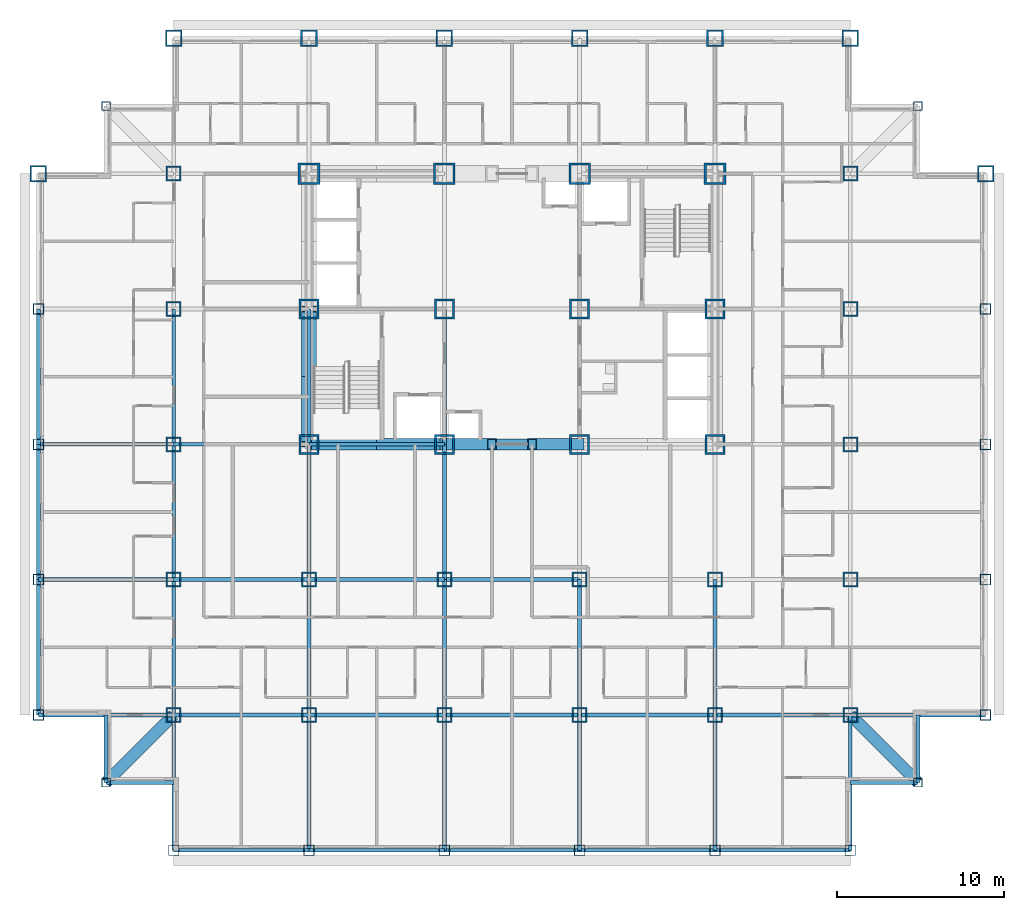
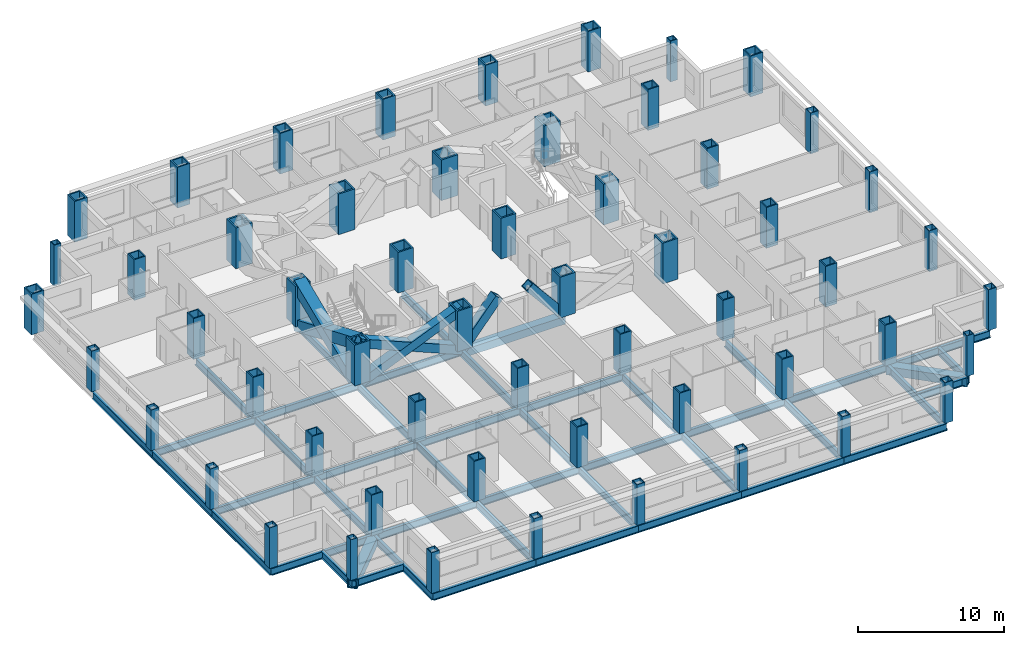
# One storey, part 1 of 13: 56 columns, 46 beams, 6 members.
"""IFC4 building model written with IfcOpenShell, lengths in metres."""

from ifc_helpers import new_model, si_unit, direction, frame, origin, origin_2d, place, context, subcontext, project, spatial, hollow_rectangle, i_section, extrude, material, material_profile, profile_set, type_object, element, save


model = new_model("IFC4")

# Units and contexts
model_context = context("Model", 3, precision=1e-05, world=origin(), true_north=direction((0.0, 1.0)))
body_context = subcontext(model_context, "Body", "Model", "MODEL_VIEW")
ifc_project = project(units=[si_unit("LENGTHUNIT", "METRE"), si_unit("AREAUNIT", "SQUARE_METRE"), si_unit("VOLUMEUNIT", "CUBIC_METRE"), si_unit("PLANEANGLEUNIT", "RADIAN"), si_unit("MASSUNIT", "GRAM", prefix="KILO")], contexts=[model_context])

# Site, building, storey
site_placement = place(None, origin())
site = spatial("IfcSite", under=ifc_project, at=site_placement, CompositionType="ELEMENT")
building_placement = place(site_placement, origin())
building = spatial("IfcBuilding", under=site, at=building_placement, Name="Kopane Lantern Tower", CompositionType="ELEMENT")
storey_placement = place(building_placement, frame((0.0, 0.0, 63.60009765625)))
storey = spatial("IfcBuildingStorey", under=building, at=storey_placement, Name="L15", CompositionType="ELEMENT", Elevation=63.60009765625)

# Columns
ifc_material_1 = material(Name="Steel S355JR", Category="steel")
ifc_material_profile_1 = material_profile(ifc_material_1, hollow_rectangle(XDim=1.0, YDim=1.0, WallThickness=0.10009765625, at=origin_2d()), Name="BOX 1000x1000x100")
ifc_profile_set_1 = profile_set([ifc_material_profile_1], Name="Steel S355JR")
column_type_1 = type_object("IfcColumnType", Name="COLUMN BOX 1000x1000x100", PredefinedType="COLUMN", material=ifc_profile_set_1)
for number, where, z_axis, x_axis, name in (
    (1, (0.0, 40.5, 0.0), (0.0, 0.0, 1.0), (1.0, 0.0, 0.0), "Column 2/G L15"),
    (2, (8.10009765625, 48.60009765625, 0.0), (0.0, 0.0, 1.0), (1.0, 0.0, 0.0), "Column 3/H L15"),
    (3, (16.199951171875, 48.60009765625, 0.0), (0.0, 0.0, 1.0), (1.0, 0.0, 0.0), "Column 4/H L15"),
    (4, (24.300048828125, 48.60009765625, 0.0), (0.0, 0.0, 1.0), (1.0, 0.0, 0.0), "Column 5/H L15"),
    (5, (32.39990234375, 48.60009765625, 0.0), (0.0, 0.0, 1.0), (1.0, 0.0, 0.0), "Column 6/H L15"),
    (6, (40.5, 48.60009765625, 0.0), (0.0, 0.0, 1.0), (1.0, 0.0, 0.0), "Column 7/H L15"),
    (7, (48.60009765625, 48.60009765625, 0.0), (0.0, 0.0, 1.0), (1.0, 0.0, 0.0), "Column 8/H L15"),
    (8, (56.699951171875, 40.5, 0.0), (0.0, 0.0, 1.0), (1.0, 0.0, 0.0), "Column 9/G L15"),
):
    element("IfcColumn", number, at=place(storey_placement, frame(where, z_axis=z_axis, x_axis=x_axis)), inside=storey, type_object=column_type_1, Name=name, PredefinedType="COLUMN", context=body_context, shape_type="SweptSolid", body=[
        extrude(hollow_rectangle(XDim=1.0, YDim=1.0, WallThickness=0.10009765625, at=origin_2d()), origin(), (0.0, 0.0, 1.0), 3.39990234375),
    ])
ifc_material_2 = material(Name="Steel S355JR", Category="steel")
ifc_material_profile_2 = material_profile(ifc_material_2, hollow_rectangle(XDim=1.199951171875, YDim=1.199951171875, WallThickness=0.1201171875, at=origin_2d()), Name="BOX 1200x1200x120")
ifc_profile_set_2 = profile_set([ifc_material_profile_2], Name="Steel S355JR")
column_type_2 = type_object("IfcColumnType", Name="COLUMN BOX 1200x1200x120", PredefinedType="COLUMN", material=ifc_profile_set_2)
for number, where, z_axis, x_axis, name in (
    (9, (16.199951171875, 24.300048828125, 0.0), (0.0, 0.0, 1.0), (1.0, 0.0, 0.0), "Column 4/E L15"),
    (10, (16.199951171875, 32.39990234375, 0.0), (0.0, 0.0, 1.0), (1.0, 0.0, 0.0), "Column 4/F L15"),
    (11, (24.300048828125, 24.300048828125, 0.0), (0.0, 0.0, 1.0), (1.0, 0.0, 0.0), "Column 5/E L15"),
    (12, (24.300048828125, 32.39990234375, 0.0), (0.0, 0.0, 1.0), (1.0, 0.0, 0.0), "Column 5/F L15"),
    (13, (32.39990234375, 24.300048828125, 0.0), (0.0, 0.0, 1.0), (1.0, 0.0, 0.0), "Column 6/E L15"),
    (14, (32.39990234375, 32.39990234375, 0.0), (0.0, 0.0, 1.0), (1.0, 0.0, 0.0), "Column 6/F L15"),
    (15, (40.5, 24.300048828125, 0.0), (0.0, 0.0, 1.0), (1.0, 0.0, 0.0), "Column 7/E L15"),
    (16, (40.5, 32.39990234375, 0.0), (0.0, 0.0, 1.0), (1.0, 0.0, 0.0), "Column 7/F L15"),
):
    element("IfcColumn", number, at=place(storey_placement, frame(where, z_axis=z_axis, x_axis=x_axis)), inside=storey, type_object=column_type_2, Name=name, PredefinedType="COLUMN", context=body_context, shape_type="SweptSolid", body=[
        extrude(hollow_rectangle(XDim=1.199951171875, YDim=1.199951171875, WallThickness=0.1201171875, at=origin_2d()), origin(), (0.0, 0.0, 1.0), 3.39990234375),
    ])
ifc_material_3 = material(Name="Steel S355JR", Category="steel")
ifc_material_profile_3 = material_profile(ifc_material_3, hollow_rectangle(XDim=1.300048828125, YDim=1.300048828125, WallThickness=0.1298828125, at=origin_2d()), Name="BOX 1300x1300x130")
ifc_profile_set_3 = profile_set([ifc_material_profile_3], Name="Steel S355JR")
column_type_3 = type_object("IfcColumnType", Name="COLUMN BOX 1300x1300x130", PredefinedType="COLUMN", material=ifc_profile_set_3)
for number, where, z_axis, x_axis, name in (
    (17, (16.199951171875, 40.5, 0.0), (0.0, 0.0, 1.0), (1.0, 0.0, 0.0), "Column 4/G L15"),
    (18, (24.300048828125, 40.5, 0.0), (0.0, 0.0, 1.0), (1.0, 0.0, 0.0), "Column 5/G L15"),
    (19, (32.39990234375, 40.5, 0.0), (0.0, 0.0, 1.0), (1.0, 0.0, 0.0), "Column 6/G L15"),
    (20, (40.5, 40.5, 0.0), (0.0, 0.0, 1.0), (1.0, 0.0, 0.0), "Column 7/G L15"),
):
    element("IfcColumn", number, at=place(storey_placement, frame(where, z_axis=z_axis, x_axis=x_axis)), inside=storey, type_object=column_type_3, Name=name, PredefinedType="COLUMN", context=body_context, shape_type="SweptSolid", body=[
        extrude(hollow_rectangle(XDim=1.300048828125, YDim=1.300048828125, WallThickness=0.1298828125, at=origin_2d()), origin(), (0.0, 0.0, 1.0), 3.39990234375),
    ])
ifc_material_4 = material(Name="Steel S355JR", Category="steel")
ifc_material_profile_4 = material_profile(ifc_material_4, hollow_rectangle(XDim=0.550048828125, YDim=0.550048828125, WallThickness=0.050048828125, at=origin_2d()), Name="BOX 550x550x50")
ifc_profile_set_4 = profile_set([ifc_material_profile_4], Name="Steel S355JR")
column_type_4 = type_object("IfcColumnType", Name="COLUMN BOX 550x550x50", PredefinedType="COLUMN", material=ifc_profile_set_4)
for number, where, z_axis, x_axis, name in (
    (21, (4.050048828125, 4.050048828125, 0.0), (0.0, 0.0, 1.0), (1.0, 0.0, 0.0), "Column 4.05/4.05 L15"),
    (22, (4.050048828125, 44.550048828125, 0.0), (0.0, 0.0, 1.0), (1.0, 0.0, 0.0), "Column 4.05/44.55 L15"),
    (23, (52.64990234375, 4.050048828125, 0.0), (0.0, 0.0, 1.0), (1.0, 0.0, 0.0), "Column 52.65/4.05 L15"),
    (24, (52.64990234375, 44.550048828125, 0.0), (0.0, 0.0, 1.0), (1.0, 0.0, 0.0), "Column 52.65/44.55 L15"),
):
    element("IfcColumn", number, at=place(storey_placement, frame(where, z_axis=z_axis, x_axis=x_axis)), inside=storey, type_object=column_type_4, Name=name, PredefinedType="COLUMN", context=body_context, shape_type="SweptSolid", body=[
        extrude(hollow_rectangle(XDim=0.550048828125, YDim=0.550048828125, WallThickness=0.050048828125, at=origin_2d()), origin(), (0.0, 0.0, 1.0), 3.39990234375),
    ])
ifc_material_5 = material(Name="Steel S355JR", Category="steel")
ifc_material_profile_5 = material_profile(ifc_material_5, hollow_rectangle(XDim=0.64990234375, YDim=0.64990234375, WallThickness=0.050048828125, at=origin_2d()), Name="BOX 650x650x50")
ifc_profile_set_5 = profile_set([ifc_material_profile_5], Name="Steel S355JR")
column_type_5 = type_object("IfcColumnType", Name="COLUMN BOX 650x650x50", PredefinedType="COLUMN", material=ifc_profile_set_5)
for number, where, z_axis, x_axis, name in (
    (25, (0.0, 8.10009765625, 0.0), (0.0, 0.0, 1.0), (1.0, 0.0, 0.0), "Column 2/C L15"),
    (26, (0.0, 16.199951171875, 0.0), (0.0, 0.0, 1.0), (1.0, 0.0, 0.0), "Column 2/D L15"),
    (27, (0.0, 24.300048828125, 0.0), (0.0, 0.0, 1.0), (1.0, 0.0, 0.0), "Column 2/E L15"),
    (28, (0.0, 32.39990234375, 0.0), (0.0, 0.0, 1.0), (1.0, 0.0, 0.0), "Column 2/F L15"),
    (29, (8.10009765625, 0.0, 0.0), (0.0, 0.0, 1.0), (1.0, 0.0, 0.0), "Column 3/B L15"),
    (30, (16.199951171875, 0.0, 0.0), (0.0, 0.0, 1.0), (1.0, 0.0, 0.0), "Column 4/B L15"),
    (31, (24.300048828125, 0.0, 0.0), (0.0, 0.0, 1.0), (1.0, 0.0, 0.0), "Column 5/B L15"),
    (32, (32.39990234375, 0.0, 0.0), (0.0, 0.0, 1.0), (1.0, 0.0, 0.0), "Column 6/B L15"),
    (33, (40.5, 0.0, 0.0), (0.0, 0.0, 1.0), (1.0, 0.0, 0.0), "Column 7/B L15"),
    (34, (48.60009765625, 0.0, 0.0), (0.0, 0.0, 1.0), (1.0, 0.0, 0.0), "Column 8/B L15"),
    (35, (56.699951171875, 8.10009765625, 0.0), (0.0, 0.0, 1.0), (1.0, 0.0, 0.0), "Column 9/C L15"),
    (36, (56.699951171875, 16.199951171875, 0.0), (0.0, 0.0, 1.0), (1.0, 0.0, 0.0), "Column 9/D L15"),
    (37, (56.699951171875, 24.300048828125, 0.0), (0.0, 0.0, 1.0), (1.0, 0.0, 0.0), "Column 9/E L15"),
    (38, (56.699951171875, 32.39990234375, 0.0), (0.0, 0.0, 1.0), (1.0, 0.0, 0.0), "Column 9/F L15"),
):
    element("IfcColumn", number, at=place(storey_placement, frame(where, z_axis=z_axis, x_axis=x_axis)), inside=storey, type_object=column_type_5, Name=name, PredefinedType="COLUMN", context=body_context, shape_type="SweptSolid", body=[
        extrude(hollow_rectangle(XDim=0.64990234375, YDim=0.64990234375, WallThickness=0.050048828125, at=origin_2d()), origin(), (0.0, 0.0, 1.0), 3.39990234375),
    ])
ifc_material_6 = material(Name="Steel S355JR", Category="steel")
ifc_material_profile_6 = material_profile(ifc_material_6, hollow_rectangle(XDim=0.89990234375, YDim=0.89990234375, WallThickness=0.090087890625, at=origin_2d()), Name="BOX 900x900x90")
ifc_profile_set_6 = profile_set([ifc_material_profile_6], Name="Steel S355JR")
column_type_6 = type_object("IfcColumnType", Name="COLUMN BOX 900x900x90", PredefinedType="COLUMN", material=ifc_profile_set_6)
for number, where, z_axis, x_axis, name in (
    (39, (8.10009765625, 8.10009765625, 0.0), (0.0, 0.0, 1.0), (1.0, 0.0, 0.0), "Column 3/C L15"),
    (40, (8.10009765625, 16.199951171875, 0.0), (0.0, 0.0, 1.0), (1.0, 0.0, 0.0), "Column 3/D L15"),
    (41, (8.10009765625, 24.300048828125, 0.0), (0.0, 0.0, 1.0), (1.0, 0.0, 0.0), "Column 3/E L15"),
    (42, (8.10009765625, 32.39990234375, 0.0), (0.0, 0.0, 1.0), (1.0, 0.0, 0.0), "Column 3/F L15"),
    (43, (8.10009765625, 40.5, 0.0), (0.0, 0.0, 1.0), (1.0, 0.0, 0.0), "Column 3/G L15"),
    (44, (16.199951171875, 8.10009765625, 0.0), (0.0, 0.0, 1.0), (1.0, 0.0, 0.0), "Column 4/C L15"),
    (45, (16.199951171875, 16.199951171875, 0.0), (0.0, 0.0, 1.0), (1.0, 0.0, 0.0), "Column 4/D L15"),
    (46, (24.300048828125, 8.10009765625, 0.0), (0.0, 0.0, 1.0), (1.0, 0.0, 0.0), "Column 5/C L15"),
    (47, (24.300048828125, 16.199951171875, 0.0), (0.0, 0.0, 1.0), (1.0, 0.0, 0.0), "Column 5/D L15"),
    (48, (32.39990234375, 8.10009765625, 0.0), (0.0, 0.0, 1.0), (1.0, 0.0, 0.0), "Column 6/C L15"),
    (49, (32.39990234375, 16.199951171875, 0.0), (0.0, 0.0, 1.0), (1.0, 0.0, 0.0), "Column 6/D L15"),
    (50, (40.5, 8.10009765625, 0.0), (0.0, 0.0, 1.0), (1.0, 0.0, 0.0), "Column 7/C L15"),
    (51, (40.5, 16.199951171875, 0.0), (0.0, 0.0, 1.0), (1.0, 0.0, 0.0), "Column 7/D L15"),
    (52, (48.60009765625, 8.10009765625, 0.0), (0.0, 0.0, 1.0), (1.0, 0.0, 0.0), "Column 8/C L15"),
    (53, (48.60009765625, 16.199951171875, 0.0), (0.0, 0.0, 1.0), (1.0, 0.0, 0.0), "Column 8/D L15"),
    (54, (48.60009765625, 24.300048828125, 0.0), (0.0, 0.0, 1.0), (1.0, 0.0, 0.0), "Column 8/E L15"),
    (55, (48.60009765625, 32.39990234375, 0.0), (0.0, 0.0, 1.0), (1.0, 0.0, 0.0), "Column 8/F L15"),
    (56, (48.60009765625, 40.5, 0.0), (0.0, 0.0, 1.0), (1.0, 0.0, 0.0), "Column 8/G L15"),
):
    element("IfcColumn", number, at=place(storey_placement, frame(where, z_axis=z_axis, x_axis=x_axis)), inside=storey, type_object=column_type_6, Name=name, PredefinedType="COLUMN", context=body_context, shape_type="SweptSolid", body=[
        extrude(hollow_rectangle(XDim=0.89990234375, YDim=0.89990234375, WallThickness=0.090087890625, at=origin_2d()), origin(), (0.0, 0.0, 1.0), 3.39990234375),
    ])

# Members
ifc_material_7 = material(Name="Steel S355JR", Category="steel")
ifc_material_profile_7 = material_profile(ifc_material_7, hollow_rectangle(XDim=0.699951171875, YDim=0.699951171875, WallThickness=0.06005859375, at=origin_2d()), Name="BOX 700x700x60")
ifc_profile_set_7 = profile_set([ifc_material_profile_7], Name="Steel S355JR")
member_type_1 = type_object("IfcMemberType", Name="BRACE BOX 700x700x60", PredefinedType="BRACE", material=ifc_profile_set_7)
for number, where, z_axis, x_axis, name in (
    (57, (16.199951171875, 24.300048828125, -0.210205078125), (0.92205908274, 0.0, 0.387049154419), (0.0, 1.0, 0.0), "Core brace L15"),
    (58, (24.300048828125, 24.300048828125, -0.210205078125), (-0.92205908274, 0.0, 0.387049154419), (0.0, -1.0, 0.0), "Core brace L15"),
):
    element("IfcMember", number, at=place(storey_placement, frame(where, z_axis=z_axis, x_axis=x_axis)), inside=storey, type_object=member_type_1, Name=name, PredefinedType="BRACE", context=body_context, shape_type="SweptSolid", body=[
        extrude(hollow_rectangle(XDim=0.699951171875, YDim=0.699951171875, WallThickness=0.06005859375, at=origin_2d()), origin(), (0.0, 0.0, 1.0), 8.784912109375),
    ])
for number, where, z_axis, x_axis, name in (
    (59, (24.300048828125, 24.300048828125, -0.210205078125), (0.642363165114, 0.0, 0.766400394118), (0.0, 1.0, 0.0), "Core brace L15"),
    (60, (32.39990234375, 24.300048828125, -0.210205078125), (-0.642363165114, 0.0, 0.766400394118), (0.0, -1.0, 0.0), "Core brace L15"),
):
    element("IfcMember", number, at=place(storey_placement, frame(where, z_axis=z_axis, x_axis=x_axis)), inside=storey, type_object=member_type_1, Name=name, PredefinedType="BRACE", context=body_context, shape_type="SweptSolid", body=[
        extrude(hollow_rectangle(XDim=0.699951171875, YDim=0.699951171875, WallThickness=0.06005859375, at=origin_2d()), origin(), (0.0, 0.0, 1.0), 4.4365234375),
    ])
ifc_material_8 = material(Name="Steel S355JR", Category="steel")
ifc_material_profile_8 = material_profile(ifc_material_8, hollow_rectangle(XDim=0.89990234375, YDim=0.89990234375, WallThickness=0.090087890625, at=origin_2d()), Name="BOX 900x900x90")
ifc_profile_set_8 = profile_set([ifc_material_profile_8], Name="Steel S355JR")
member_type_2 = type_object("IfcMemberType", Name="BRACE BOX 900x900x90", PredefinedType="BRACE", material=ifc_profile_set_8)
for number, where, z_axis, x_axis, name in (
    (61, (16.199951171875, 24.300048828125, -0.210205078125), (0.0, 0.92205491925, 0.387059072864), (-1.0, 0.0, 0.0), "Core brace L15"),
    (62, (16.199951171875, 32.39990234375, -0.210205078125), (0.0, -0.92205491925, 0.387059072864), (1.0, 0.0, 0.0), "Core brace L15"),
):
    element("IfcMember", number, at=place(storey_placement, frame(where, z_axis=z_axis, x_axis=x_axis)), inside=storey, type_object=member_type_2, Name=name, PredefinedType="BRACE", context=body_context, shape_type="SweptSolid", body=[
        extrude(hollow_rectangle(XDim=0.89990234375, YDim=0.89990234375, WallThickness=0.090087890625, at=origin_2d()), origin(), (0.0, 0.0, 1.0), 8.78466796875),
    ])

# Beams
ifc_material_9 = material(Name="Steel S355JR", Category="steel")
ifc_material_profile_9 = material_profile(ifc_material_9, i_section(OverallWidth=0.22900390625, OverallDepth=0.6123046875, WebThickness=0.011962890625, FlangeThickness=0.01953125, FilletRadius=0.0126953125, at=origin_2d()), Name="UB 610x229x125")
ifc_profile_set_9 = profile_set([ifc_material_profile_9], Name="Steel S355JR")
beam_type_1 = type_object("IfcBeamType", Name="CORE BEAM UB 610x229x125", PredefinedType="BEAM", material=ifc_profile_set_9)
beam_1_placement = place(storey_placement, frame((24.300048828125, 24.300048828125, -0.51611328125), z_axis=(0.0, 1.0, 0.0), x_axis=(-1.0, 0.0, 0.0)))
element("IfcBeam", 63, at=beam_1_placement, inside=storey, type_object=beam_type_1, Name="Core Beam L15", PredefinedType="BEAM", context=body_context, shape_type="SweptSolid", body=[
    extrude(i_section(OverallWidth=0.22900390625, OverallDepth=0.6123046875, WebThickness=0.011962890625, FlangeThickness=0.01953125, FilletRadius=0.0126953125, at=origin_2d()), origin(), (0.0, 0.0, 1.0), 8.099853515625),
])
ifc_material_10 = material(Name="Steel S355JR", Category="steel")
ifc_material_profile_10 = material_profile(ifc_material_10, hollow_rectangle(XDim=0.699951171875, YDim=0.699951171875, WallThickness=0.06005859375, at=origin_2d()), Name="BOX 700x700x60")
ifc_profile_set_10 = profile_set([ifc_material_profile_10], Name="Steel S355JR")
beam_type_2 = type_object("IfcBeamType", Name="CORNER TIE BEAM BOX 700x700x60", PredefinedType="BEAM", material=ifc_profile_set_10)
for number, where, z_axis, x_axis, name in (
    (64, (4.050048828125, 4.050048828125, -0.56005859375), (0.707106781187, 0.707106781187, 0.0), (-0.707106781187, 0.707106781187, 0.0), "Corner Tie Beam L15"),
    (65, (52.64990234375, 4.050048828125, -0.56005859375), (-0.707085467703, 0.707128094028, 0.0), (-0.707128094028, -0.707085467703, 0.0), "Corner Tie Beam L15"),
):
    element("IfcBeam", number, at=place(storey_placement, frame(where, z_axis=z_axis, x_axis=x_axis)), inside=storey, type_object=beam_type_2, Name=name, PredefinedType="BEAM", context=body_context, shape_type="SweptSolid", body=[
        extrude(hollow_rectangle(XDim=0.699951171875, YDim=0.699951171875, WallThickness=0.06005859375, at=origin_2d()), origin(), (0.0, 0.0, 1.0), 5.7275390625),
    ])
ifc_material_11 = material(Name="Steel S355JR", Category="steel")
ifc_material_profile_11 = material_profile(ifc_material_11, i_section(OverallWidth=0.22900390625, OverallDepth=0.6123046875, WebThickness=0.011962890625, FlangeThickness=0.01953125, FilletRadius=0.0126953125, at=origin_2d()), Name="UB 610x229x125")
ifc_profile_set_11 = profile_set([ifc_material_profile_11], Name="Steel S355JR")
beam_type_3 = type_object("IfcBeamType", Name="EDGE BEAM UB 610x229x125", PredefinedType="BEAM", material=ifc_profile_set_11)
for number, where, z_axis, x_axis, name in (
    (66, (4.050048828125, 4.050048828125, -0.51611328125), (0.0, 1.0, 0.0), (-1.0, 0.0, 0.0), "Edge Beam L15"),
    (67, (4.050048828125, 4.050048828125, -0.51611328125), (1.0, 0.0, 0.0), (0.0, 1.0, 0.0), "Edge Beam L15"),
):
    element("IfcBeam", number, at=place(storey_placement, frame(where, z_axis=z_axis, x_axis=x_axis)), inside=storey, type_object=beam_type_3, Name=name, PredefinedType="BEAM", context=body_context, shape_type="SweptSolid", body=[
        extrude(i_section(OverallWidth=0.22900390625, OverallDepth=0.6123046875, WebThickness=0.011962890625, FlangeThickness=0.01953125, FilletRadius=0.0126953125, at=origin_2d()), origin(), (0.0, 0.0, 1.0), 4.050048828125),
    ])
beam_2_placement = place(storey_placement, frame((52.64990234375, 4.050048828125, -0.51611328125), z_axis=(-1.0, 0.0, 0.0), x_axis=(0.0, -1.0, 0.0)))
element("IfcBeam", 68, at=beam_2_placement, inside=storey, type_object=beam_type_3, Name="Edge Beam L15", PredefinedType="BEAM", context=body_context, shape_type="SweptSolid", body=[
    extrude(i_section(OverallWidth=0.22900390625, OverallDepth=0.6123046875, WebThickness=0.011962890625, FlangeThickness=0.01953125, FilletRadius=0.0126953125, at=origin_2d()), origin(), (0.0, 0.0, 1.0), 4.0498046875),
])
beam_3_placement = place(storey_placement, frame((52.64990234375, 4.050048828125, -0.51611328125), z_axis=(0.0, 1.0, 0.0), x_axis=(-1.0, 0.0, 0.0)))
element("IfcBeam", 69, at=beam_3_placement, inside=storey, type_object=beam_type_3, Name="Edge Beam L15", PredefinedType="BEAM", context=body_context, shape_type="SweptSolid", body=[
    extrude(i_section(OverallWidth=0.22900390625, OverallDepth=0.6123046875, WebThickness=0.011962890625, FlangeThickness=0.01953125, FilletRadius=0.0126953125, at=origin_2d()), origin(), (0.0, 0.0, 1.0), 4.050048828125),
])
ifc_material_12 = material(Name="Steel S355JR", Category="steel")
ifc_material_profile_12 = material_profile(ifc_material_12, i_section(OverallWidth=0.22900390625, OverallDepth=0.6123046875, WebThickness=0.011962890625, FlangeThickness=0.01953125, FilletRadius=0.0126953125, at=origin_2d()), Name="UB 610x229x125")
ifc_profile_set_12 = profile_set([ifc_material_profile_12], Name="Steel S355JR")
beam_type_4 = type_object("IfcBeamType", Name="GIRDER UB 610x229x125", PredefinedType="BEAM", material=ifc_profile_set_12)
beam_4_placement = place(storey_placement, frame((0.0, 8.10009765625, -0.51611328125), z_axis=(0.0, 1.0, 0.0), x_axis=(-1.0, 0.0, 0.0)))
element("IfcBeam", 70, at=beam_4_placement, inside=storey, type_object=beam_type_4, Name="Girder L15", PredefinedType="BEAM", context=body_context, shape_type="SweptSolid", body=[
    extrude(i_section(OverallWidth=0.22900390625, OverallDepth=0.6123046875, WebThickness=0.011962890625, FlangeThickness=0.01953125, FilletRadius=0.0126953125, at=origin_2d()), origin(), (0.0, 0.0, 1.0), 8.099853515625),
])
for number, where, z_axis, x_axis, name in (
    (71, (0.0, 8.10009765625, -0.51611328125), (1.0, 0.0, 0.0), (0.0, 1.0, 0.0), "Girder L15"),
    (72, (0.0, 16.199951171875, -0.51611328125), (0.0, 1.0, 0.0), (-1.0, 0.0, 0.0), "Girder L15"),
    (73, (0.0, 16.199951171875, -0.51611328125), (1.0, 0.0, 0.0), (0.0, 1.0, 0.0), "Girder L15"),
):
    element("IfcBeam", number, at=place(storey_placement, frame(where, z_axis=z_axis, x_axis=x_axis)), inside=storey, type_object=beam_type_4, Name=name, PredefinedType="BEAM", context=body_context, shape_type="SweptSolid", body=[
        extrude(i_section(OverallWidth=0.22900390625, OverallDepth=0.6123046875, WebThickness=0.011962890625, FlangeThickness=0.01953125, FilletRadius=0.0126953125, at=origin_2d()), origin(), (0.0, 0.0, 1.0), 8.10009765625),
    ])
beam_5_placement = place(storey_placement, frame((0.0, 24.300048828125, -0.51611328125), z_axis=(0.0, 1.0, 0.0), x_axis=(-1.0, 0.0, 0.0)))
element("IfcBeam", 74, at=beam_5_placement, inside=storey, type_object=beam_type_4, Name="Girder L15", PredefinedType="BEAM", context=body_context, shape_type="SweptSolid", body=[
    extrude(i_section(OverallWidth=0.22900390625, OverallDepth=0.6123046875, WebThickness=0.011962890625, FlangeThickness=0.01953125, FilletRadius=0.0126953125, at=origin_2d()), origin(), (0.0, 0.0, 1.0), 8.099853515625),
])
for number, where, z_axis, x_axis, name in (
    (75, (0.0, 24.300048828125, -0.51611328125), (1.0, 0.0, 0.0), (0.0, 1.0, 0.0), "Girder L15"),
    (76, (8.10009765625, 0.0, -0.51611328125), (0.0, 1.0, 0.0), (-1.0, 0.0, 0.0), "Girder L15"),
):
    element("IfcBeam", number, at=place(storey_placement, frame(where, z_axis=z_axis, x_axis=x_axis)), inside=storey, type_object=beam_type_4, Name=name, PredefinedType="BEAM", context=body_context, shape_type="SweptSolid", body=[
        extrude(i_section(OverallWidth=0.22900390625, OverallDepth=0.6123046875, WebThickness=0.011962890625, FlangeThickness=0.01953125, FilletRadius=0.0126953125, at=origin_2d()), origin(), (0.0, 0.0, 1.0), 8.10009765625),
    ])
for number, where, z_axis, x_axis, name in (
    (77, (8.10009765625, 0.0, -0.51611328125), (1.0, 0.0, 0.0), (0.0, 1.0, 0.0), "Girder L15"),
    (78, (8.10009765625, 8.10009765625, -0.51611328125), (0.0, 1.0, 0.0), (-1.0, 0.0, 0.0), "Girder L15"),
    (79, (8.10009765625, 8.10009765625, -0.51611328125), (1.0, 0.0, 0.0), (0.0, 1.0, 0.0), "Girder L15"),
):
    element("IfcBeam", number, at=place(storey_placement, frame(where, z_axis=z_axis, x_axis=x_axis)), inside=storey, type_object=beam_type_4, Name=name, PredefinedType="BEAM", context=body_context, shape_type="SweptSolid", body=[
        extrude(i_section(OverallWidth=0.22900390625, OverallDepth=0.6123046875, WebThickness=0.011962890625, FlangeThickness=0.01953125, FilletRadius=0.0126953125, at=origin_2d()), origin(), (0.0, 0.0, 1.0), 8.099853515625),
    ])
beam_6_placement = place(storey_placement, frame((8.10009765625, 16.199951171875, -0.51611328125), z_axis=(0.0, 1.0, 0.0), x_axis=(-1.0, 0.0, 0.0)))
element("IfcBeam", 80, at=beam_6_placement, inside=storey, type_object=beam_type_4, Name="Girder L15", PredefinedType="BEAM", context=body_context, shape_type="SweptSolid", body=[
    extrude(i_section(OverallWidth=0.22900390625, OverallDepth=0.6123046875, WebThickness=0.011962890625, FlangeThickness=0.01953125, FilletRadius=0.0126953125, at=origin_2d()), origin(), (0.0, 0.0, 1.0), 8.10009765625),
])
for number, where, z_axis, x_axis, name in (
    (81, (8.10009765625, 16.199951171875, -0.51611328125), (1.0, 0.0, 0.0), (0.0, 1.0, 0.0), "Girder L15"),
    (82, (8.10009765625, 24.300048828125, -0.51611328125), (0.0, 1.0, 0.0), (-1.0, 0.0, 0.0), "Girder L15"),
    (83, (8.10009765625, 24.300048828125, -0.51611328125), (1.0, 0.0, 0.0), (0.0, 1.0, 0.0), "Girder L15"),
):
    element("IfcBeam", number, at=place(storey_placement, frame(where, z_axis=z_axis, x_axis=x_axis)), inside=storey, type_object=beam_type_4, Name=name, PredefinedType="BEAM", context=body_context, shape_type="SweptSolid", body=[
        extrude(i_section(OverallWidth=0.22900390625, OverallDepth=0.6123046875, WebThickness=0.011962890625, FlangeThickness=0.01953125, FilletRadius=0.0126953125, at=origin_2d()), origin(), (0.0, 0.0, 1.0), 8.099853515625),
    ])
for number, where, z_axis, x_axis, name in (
    (84, (16.199951171875, 0.0, -0.51611328125), (0.0, 1.0, 0.0), (-1.0, 0.0, 0.0), "Girder L15"),
    (85, (16.199951171875, 0.0, -0.51611328125), (1.0, 0.0, 0.0), (0.0, 1.0, 0.0), "Girder L15"),
):
    element("IfcBeam", number, at=place(storey_placement, frame(where, z_axis=z_axis, x_axis=x_axis)), inside=storey, type_object=beam_type_4, Name=name, PredefinedType="BEAM", context=body_context, shape_type="SweptSolid", body=[
        extrude(i_section(OverallWidth=0.22900390625, OverallDepth=0.6123046875, WebThickness=0.011962890625, FlangeThickness=0.01953125, FilletRadius=0.0126953125, at=origin_2d()), origin(), (0.0, 0.0, 1.0), 8.10009765625),
    ])
beam_7_placement = place(storey_placement, frame((16.199951171875, 8.10009765625, -0.51611328125), z_axis=(0.0, 1.0, 0.0), x_axis=(-1.0, 0.0, 0.0)))
element("IfcBeam", 86, at=beam_7_placement, inside=storey, type_object=beam_type_4, Name="Girder L15", PredefinedType="BEAM", context=body_context, shape_type="SweptSolid", body=[
    extrude(i_section(OverallWidth=0.22900390625, OverallDepth=0.6123046875, WebThickness=0.011962890625, FlangeThickness=0.01953125, FilletRadius=0.0126953125, at=origin_2d()), origin(), (0.0, 0.0, 1.0), 8.099853515625),
])
for number, where, z_axis, x_axis, name in (
    (87, (16.199951171875, 8.10009765625, -0.51611328125), (1.0, 0.0, 0.0), (0.0, 1.0, 0.0), "Girder L15"),
    (88, (16.199951171875, 16.199951171875, -0.51611328125), (0.0, 1.0, 0.0), (-1.0, 0.0, 0.0), "Girder L15"),
    (89, (16.199951171875, 16.199951171875, -0.51611328125), (1.0, 0.0, 0.0), (0.0, 1.0, 0.0), "Girder L15"),
):
    element("IfcBeam", number, at=place(storey_placement, frame(where, z_axis=z_axis, x_axis=x_axis)), inside=storey, type_object=beam_type_4, Name=name, PredefinedType="BEAM", context=body_context, shape_type="SweptSolid", body=[
        extrude(i_section(OverallWidth=0.22900390625, OverallDepth=0.6123046875, WebThickness=0.011962890625, FlangeThickness=0.01953125, FilletRadius=0.0126953125, at=origin_2d()), origin(), (0.0, 0.0, 1.0), 8.10009765625),
    ])
beam_8_placement = place(storey_placement, frame((16.199951171875, 24.300048828125, -0.51611328125), z_axis=(0.0, 1.0, 0.0), x_axis=(-1.0, 0.0, 0.0)))
element("IfcBeam", 90, at=beam_8_placement, inside=storey, type_object=beam_type_4, Name="Girder L15", PredefinedType="BEAM", context=body_context, shape_type="SweptSolid", body=[
    extrude(i_section(OverallWidth=0.22900390625, OverallDepth=0.6123046875, WebThickness=0.011962890625, FlangeThickness=0.01953125, FilletRadius=0.0126953125, at=origin_2d()), origin(), (0.0, 0.0, 1.0), 8.099853515625),
])
for number, where, z_axis, x_axis, name in (
    (91, (16.199951171875, 24.300048828125, -0.51611328125), (1.0, 0.0, 0.0), (0.0, 1.0, 0.0), "Girder L15"),
    (92, (24.300048828125, 0.0, -0.51611328125), (0.0, 1.0, 0.0), (-1.0, 0.0, 0.0), "Girder L15"),
):
    element("IfcBeam", number, at=place(storey_placement, frame(where, z_axis=z_axis, x_axis=x_axis)), inside=storey, type_object=beam_type_4, Name=name, PredefinedType="BEAM", context=body_context, shape_type="SweptSolid", body=[
        extrude(i_section(OverallWidth=0.22900390625, OverallDepth=0.6123046875, WebThickness=0.011962890625, FlangeThickness=0.01953125, FilletRadius=0.0126953125, at=origin_2d()), origin(), (0.0, 0.0, 1.0), 8.10009765625),
    ])
for number, where, z_axis, x_axis, name in (
    (93, (24.300048828125, 0.0, -0.51611328125), (1.0, 0.0, 0.0), (0.0, 1.0, 0.0), "Girder L15"),
    (94, (24.300048828125, 8.10009765625, -0.51611328125), (0.0, 1.0, 0.0), (-1.0, 0.0, 0.0), "Girder L15"),
    (95, (24.300048828125, 8.10009765625, -0.51611328125), (1.0, 0.0, 0.0), (0.0, 1.0, 0.0), "Girder L15"),
):
    element("IfcBeam", number, at=place(storey_placement, frame(where, z_axis=z_axis, x_axis=x_axis)), inside=storey, type_object=beam_type_4, Name=name, PredefinedType="BEAM", context=body_context, shape_type="SweptSolid", body=[
        extrude(i_section(OverallWidth=0.22900390625, OverallDepth=0.6123046875, WebThickness=0.011962890625, FlangeThickness=0.01953125, FilletRadius=0.0126953125, at=origin_2d()), origin(), (0.0, 0.0, 1.0), 8.099853515625),
    ])
beam_9_placement = place(storey_placement, frame((24.300048828125, 16.199951171875, -0.51611328125), z_axis=(0.0, 1.0, 0.0), x_axis=(-1.0, 0.0, 0.0)))
element("IfcBeam", 96, at=beam_9_placement, inside=storey, type_object=beam_type_4, Name="Girder L15", PredefinedType="BEAM", context=body_context, shape_type="SweptSolid", body=[
    extrude(i_section(OverallWidth=0.22900390625, OverallDepth=0.6123046875, WebThickness=0.011962890625, FlangeThickness=0.01953125, FilletRadius=0.0126953125, at=origin_2d()), origin(), (0.0, 0.0, 1.0), 8.10009765625),
])
beam_10_placement = place(storey_placement, frame((24.300048828125, 16.199951171875, -0.51611328125), z_axis=(1.0, 0.0, 0.0), x_axis=(0.0, 1.0, 0.0)))
element("IfcBeam", 97, at=beam_10_placement, inside=storey, type_object=beam_type_4, Name="Girder L15", PredefinedType="BEAM", context=body_context, shape_type="SweptSolid", body=[
    extrude(i_section(OverallWidth=0.22900390625, OverallDepth=0.6123046875, WebThickness=0.011962890625, FlangeThickness=0.01953125, FilletRadius=0.0126953125, at=origin_2d()), origin(), (0.0, 0.0, 1.0), 8.099853515625),
])
for number, where, z_axis, x_axis, name in (
    (98, (32.39990234375, 0.0, -0.51611328125), (0.0, 1.0, 0.0), (-1.0, 0.0, 0.0), "Girder L15"),
    (99, (32.39990234375, 0.0, -0.51611328125), (1.0, 0.0, 0.0), (0.0, 1.0, 0.0), "Girder L15"),
):
    element("IfcBeam", number, at=place(storey_placement, frame(where, z_axis=z_axis, x_axis=x_axis)), inside=storey, type_object=beam_type_4, Name=name, PredefinedType="BEAM", context=body_context, shape_type="SweptSolid", body=[
        extrude(i_section(OverallWidth=0.22900390625, OverallDepth=0.6123046875, WebThickness=0.011962890625, FlangeThickness=0.01953125, FilletRadius=0.0126953125, at=origin_2d()), origin(), (0.0, 0.0, 1.0), 8.10009765625),
    ])
beam_11_placement = place(storey_placement, frame((32.39990234375, 8.10009765625, -0.51611328125), z_axis=(0.0, 1.0, 0.0), x_axis=(-1.0, 0.0, 0.0)))
element("IfcBeam", 100, at=beam_11_placement, inside=storey, type_object=beam_type_4, Name="Girder L15", PredefinedType="BEAM", context=body_context, shape_type="SweptSolid", body=[
    extrude(i_section(OverallWidth=0.22900390625, OverallDepth=0.6123046875, WebThickness=0.011962890625, FlangeThickness=0.01953125, FilletRadius=0.0126953125, at=origin_2d()), origin(), (0.0, 0.0, 1.0), 8.099853515625),
])
for number, where, z_axis, x_axis, name in (
    (101, (32.39990234375, 8.10009765625, -0.51611328125), (1.0, 0.0, 0.0), (0.0, 1.0, 0.0), "Girder L15"),
    (102, (40.5, 0.0, -0.51611328125), (0.0, 1.0, 0.0), (-1.0, 0.0, 0.0), "Girder L15"),
    (103, (40.5, 0.0, -0.51611328125), (1.0, 0.0, 0.0), (0.0, 1.0, 0.0), "Girder L15"),
):
    element("IfcBeam", number, at=place(storey_placement, frame(where, z_axis=z_axis, x_axis=x_axis)), inside=storey, type_object=beam_type_4, Name=name, PredefinedType="BEAM", context=body_context, shape_type="SweptSolid", body=[
        extrude(i_section(OverallWidth=0.22900390625, OverallDepth=0.6123046875, WebThickness=0.011962890625, FlangeThickness=0.01953125, FilletRadius=0.0126953125, at=origin_2d()), origin(), (0.0, 0.0, 1.0), 8.10009765625),
    ])
beam_12_placement = place(storey_placement, frame((40.5, 8.10009765625, -0.51611328125), z_axis=(0.0, 1.0, 0.0), x_axis=(-1.0, 0.0, 0.0)))
element("IfcBeam", 104, at=beam_12_placement, inside=storey, type_object=beam_type_4, Name="Girder L15", PredefinedType="BEAM", context=body_context, shape_type="SweptSolid", body=[
    extrude(i_section(OverallWidth=0.22900390625, OverallDepth=0.6123046875, WebThickness=0.011962890625, FlangeThickness=0.01953125, FilletRadius=0.0126953125, at=origin_2d()), origin(), (0.0, 0.0, 1.0), 8.099853515625),
])
for number, where, z_axis, x_axis, name in (
    (105, (40.5, 8.10009765625, -0.51611328125), (1.0, 0.0, 0.0), (0.0, 1.0, 0.0), "Girder L15"),
    (106, (48.60009765625, 0.0, -0.51611328125), (0.0, 1.0, 0.0), (-1.0, 0.0, 0.0), "Girder L15"),
):
    element("IfcBeam", number, at=place(storey_placement, frame(where, z_axis=z_axis, x_axis=x_axis)), inside=storey, type_object=beam_type_4, Name=name, PredefinedType="BEAM", context=body_context, shape_type="SweptSolid", body=[
        extrude(i_section(OverallWidth=0.22900390625, OverallDepth=0.6123046875, WebThickness=0.011962890625, FlangeThickness=0.01953125, FilletRadius=0.0126953125, at=origin_2d()), origin(), (0.0, 0.0, 1.0), 8.10009765625),
    ])
beam_13_placement = place(storey_placement, frame((48.60009765625, 8.10009765625, -0.51611328125), z_axis=(1.0, 0.0, 0.0), x_axis=(0.0, 1.0, 0.0)))
element("IfcBeam", 107, at=beam_13_placement, inside=storey, type_object=beam_type_4, Name="Girder L15", PredefinedType="BEAM", context=body_context, shape_type="SweptSolid", body=[
    extrude(i_section(OverallWidth=0.22900390625, OverallDepth=0.6123046875, WebThickness=0.011962890625, FlangeThickness=0.01953125, FilletRadius=0.0126953125, at=origin_2d()), origin(), (0.0, 0.0, 1.0), 8.099853515625),
])
ifc_material_13 = material(Name="Steel S355JR", Category="steel")
ifc_material_profile_13 = material_profile(ifc_material_13, hollow_rectangle(XDim=0.64990234375, YDim=0.64990234375, WallThickness=0.070068359375, at=origin_2d()), Name="BOX 650x650x70")
ifc_profile_set_13 = profile_set([ifc_material_profile_13], Name="Steel S355JR")
beam_type_5 = type_object("IfcBeamType", Name="LINK BEAM BOX 650x650x70", PredefinedType="BEAM", material=ifc_profile_set_13)
beam_14_placement = place(storey_placement, frame((24.300048828125, 24.300048828125, -0.53515625), z_axis=(1.0, 0.0, 0.0), x_axis=(0.0, 1.0, 0.0)))
element("IfcBeam", 108, at=beam_14_placement, inside=storey, type_object=beam_type_5, Name="Link Beam L15", PredefinedType="BEAM", context=body_context, shape_type="SweptSolid", body=[
    extrude(hollow_rectangle(XDim=0.64990234375, YDim=0.64990234375, WallThickness=0.070068359375, at=origin_2d()), origin(), (0.0, 0.0, 1.0), 8.099853515625),
])

save(model, "model.ifc")
